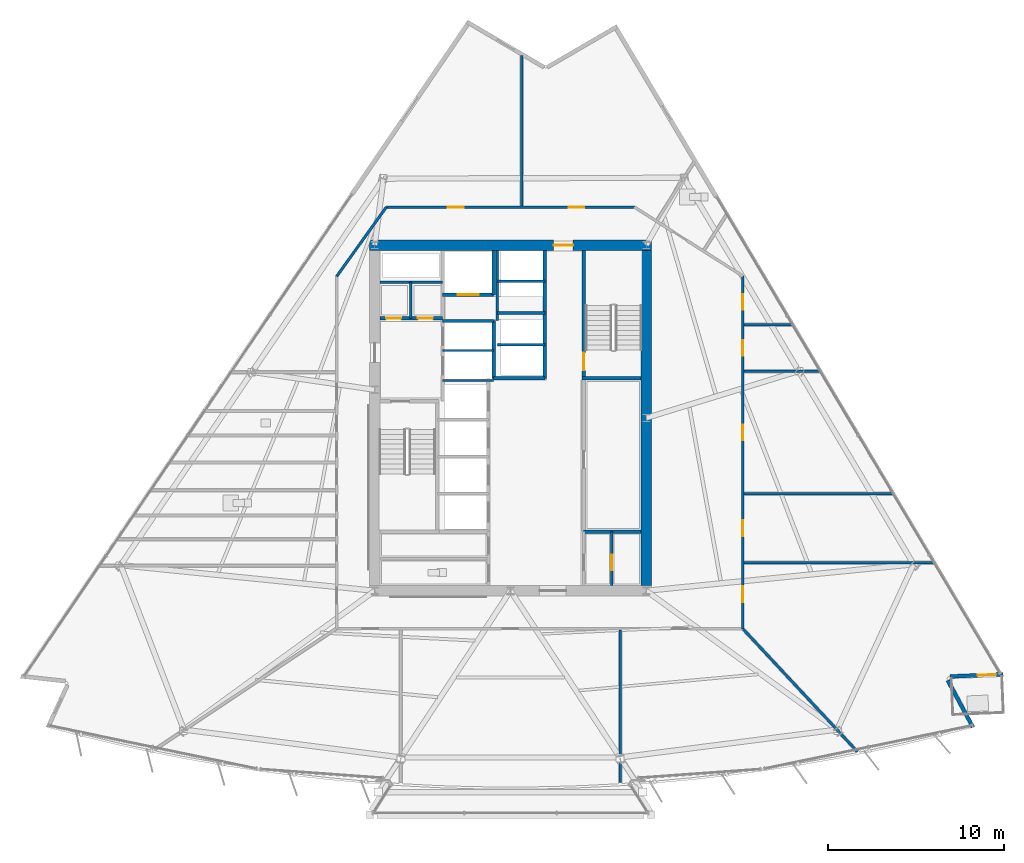
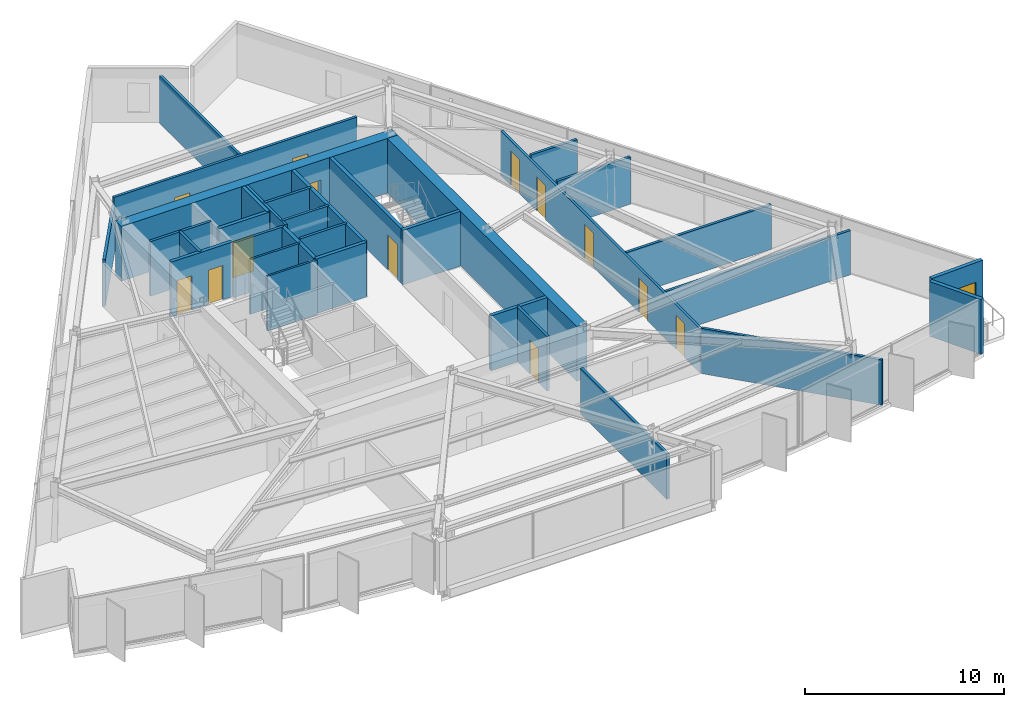
# One storey, part 9 of 15: 33 walls, 14 doors, 14 openings.
"""IFC4 building model written with IfcOpenShell, lengths in metres."""

from ifc_helpers import new_model, si_unit, direction, frame, frame_2d, origin, place, context, subcontext, project, spatial, rectangle, extrude, material, layer, layer_set, type_object, element, fill, save


model = new_model("IFC4")

# Units and contexts
model_context = context("Model", 3, precision=1e-05, world=origin(), true_north=direction((0.0, 1.0)))
body_context = subcontext(model_context, "Body", "Model", "MODEL_VIEW")
ifc_project = project(units=[si_unit("LENGTHUNIT", "METRE"), si_unit("AREAUNIT", "SQUARE_METRE"), si_unit("VOLUMEUNIT", "CUBIC_METRE"), si_unit("PLANEANGLEUNIT", "RADIAN"), si_unit("MASSUNIT", "GRAM", prefix="KILO")], contexts=[model_context])

# Site, building, storey
site_placement = place(None, origin())
site = spatial("IfcSite", under=ifc_project, at=site_placement, CompositionType="ELEMENT")
building_placement = place(site_placement, origin())
building = spatial("IfcBuilding", under=site, at=building_placement, Name="Savorim Split Tower", CompositionType="ELEMENT")
storey_placement = place(building_placement, frame((0.0, 0.0, 114.89990234375)))
storey = spatial("IfcBuildingStorey", under=building, at=storey_placement, Name="L30", CompositionType="ELEMENT", Elevation=114.89990234375)

# Wall, opening, door
ifc_material_1 = material(Name="Concrete C60/75", Category="concrete")
ifc_layer_1 = layer(ifc_material_1, 0.60009765625)
ifc_layer_set_1 = layer_set([ifc_layer_1], Name="WAL-COR-SH600")
wall_type_1 = type_object("IfcWallType", Name="WAL-COR-SH600", PredefinedType="SHEAR", material=ifc_layer_set_1)
wall_1_placement = place(storey_placement, frame((8.0, 10.199951171875, 0.0), z_axis=(0.0, 0.0, 1.0), x_axis=(-1.0, 0.0, 0.0)))
wall_1 = element("IfcWall", 1, at=wall_1_placement, inside=storey, type_object=wall_type_1, Name="L30 Offset Core North Shear Wall", PredefinedType="SHEAR", context=body_context, shape_type="SweptSolid", body=[
    extrude(rectangle(XDim=16.0, YDim=0.60009765625, at=frame_2d((8.0, 0.0))), origin(), (0.0, 0.0, 1.0), 3.35009765625),
])
opening_1_placement = place(wall_1_placement, frame((4.449951171875, 0.0, 0.0)))
opening_1 = element("IfcOpeningElement", 2, at=opening_1_placement, cuts=wall_1, Name="Opening DI-03", PredefinedType="OPENING", context=body_context, shape_type="SweptSolid", body=[
    extrude(rectangle(XDim=1.10009765625, YDim=2.14990234375, at=frame_2d((0.550048828125, 1.074951171875))), frame((0.0, 0.31005859375, 0.0), z_axis=(0.0, -1.0, 0.0), x_axis=(1.0, 0.0, 0.0)), (0.0, 0.0, 1.0), 0.6201171875),
])
ifc_material_2 = material(Name="Timber Fire Door Leaf", Category="wood")
door_type_1 = type_object("IfcDoorType", Name="DOR-FIR-1100", OperationType="NOTDEFINED", PredefinedType="DOOR", material=ifc_material_2)
door_1_placement = place(opening_1_placement, origin())
door_1 = element("IfcDoor", 3, at=door_1_placement, inside=storey, type_object=door_type_1, Name="DOR-L30-COR-NLOB - L30 North Corridor Lobby Fire Door", OperationType="SINGLE_SWING_LEFT", OverallHeight=2.14990234375, OverallWidth=1.10009765625, PredefinedType="DOOR", context=body_context, shape_type="SweptSolid", body=[
    extrude(rectangle(XDim=1.10009765625, YDim=2.14990234375, at=frame_2d((0.550048828125, 1.074951171875))), frame((0.0, 0.02490234375, 0.0), z_axis=(0.0, -1.0, 0.0), x_axis=(1.0, 0.0, 0.0)), (0.0, 0.0, 1.0), 0.050048828125),
])
fill(opening_1, door_1)

# Walls
wall_2_placement = place(storey_placement, frame((7.699951171875, 9.89990234375, 0.0), z_axis=(0.0, 0.0, 1.0), x_axis=(0.0, -1.0, 0.0)))
element("IfcWall", 4, at=wall_2_placement, inside=storey, type_object=wall_type_1, Name="L30 Offset Core East Shear Wall", PredefinedType="SHEAR", context=body_context, shape_type="SweptSolid", body=[
    extrude(rectangle(XDim=19.0, YDim=0.60009765625, at=frame_2d((9.5, 0.0))), origin(), (0.0, 0.0, 1.0), 3.35009765625),
])
ifc_material_3 = material(Name="Precast concrete C40/50", Category="concrete")
ifc_layer_2 = layer(ifc_material_3, 0.219970703125)
ifc_layer_set_2 = layer_set([ifc_layer_2], Name="WAL-EXT-CRN220")
wall_type_2 = type_object("IfcWallType", Name="WAL-EXT-CRN220", PredefinedType="SOLIDWALL", material=ifc_layer_set_2)
wall_3_placement = place(storey_placement, frame((24.79833984375, -14.477294921875, 0.0), z_axis=(0.0, 0.0, 1.0), x_axis=(0.472820757697, -0.881158629925, 0.0)))
element("IfcWall", 5, at=wall_3_placement, inside=storey, type_object=wall_type_2, Name="L30 Notched Corner Facade Wall SE1", PredefinedType="SOLIDWALL", context=body_context, shape_type="SweptSolid", body=[
    extrude(rectangle(XDim=3.02880859375, YDim=0.219970703125, at=frame_2d((1.514404296875, 0.0))), origin(), (0.0, 0.0, 1.0), 3.35009765625),
])

# Wall, opening, door
wall_4_placement = place(storey_placement, frame((27.943359375, -14.135009765625, 0.0), z_axis=(0.0, 0.0, 1.0), x_axis=(-0.999095621918, -0.042519857284, 0.0)))
wall_4 = element("IfcWall", 6, at=wall_4_placement, inside=storey, type_object=wall_type_2, Name="L30 Notched Corner Facade Wall SE", PredefinedType="SOLIDWALL", context=body_context, shape_type="SweptSolid", body=[
    extrude(rectangle(XDim=3.02587890625, YDim=0.219970703125, at=frame_2d((1.512939453125, 0.0))), origin(), (0.0, 0.0, 1.0), 3.35009765625),
])
opening_2_placement = place(wall_4_placement, frame((0.407958984375, 0.0, 0.0)))
opening_2 = element("IfcOpeningElement", 7, at=opening_2_placement, cuts=wall_4, Name="Opening DB-01", PredefinedType="OPENING", context=body_context, shape_type="SweptSolid", body=[
    extrude(rectangle(XDim=1.050048828125, YDim=2.14990234375, at=frame_2d((0.52490234375, 1.074951171875))), frame((0.0, 0.119873046875, 0.0), z_axis=(0.0, -1.0, 0.0), x_axis=(1.0, 0.0, 0.0)), (0.0, 0.0, 1.0), 0.239990234375),
])
ifc_material_4 = material(Name="Charcoal Anodised Aluminium", Category="aluminium")
door_type_2 = type_object("IfcDoorType", Name="DOR-BAL-1050", OperationType="NOTDEFINED", PredefinedType="DOOR", material=ifc_material_4)
door_2_placement = place(opening_2_placement, origin())
door_2 = element("IfcDoor", 8, at=door_2_placement, inside=storey, type_object=door_type_2, Name="DOR-L30-TBAL-SE - L30 Planted Tree Balcony Door SE", OperationType="SINGLE_SWING_LEFT", OverallHeight=2.14990234375, OverallWidth=1.050048828125, PredefinedType="DOOR", context=body_context, shape_type="SweptSolid", body=[
    extrude(rectangle(XDim=1.050048828125, YDim=2.14990234375, at=frame_2d((0.52490234375, 1.074951171875))), frame((0.0, 0.02490234375, 0.0), z_axis=(0.0, -1.0, 0.0), x_axis=(1.0, 0.0, 0.0)), (0.0, 0.0, 1.0), 0.050048828125),
])
fill(opening_2, door_2)

# Wall, openings, doors
ifc_material_5 = material(Name="Concrete C50/60", Category="concrete")
ifc_layer_3 = layer(ifc_material_5, 0.199951171875)
ifc_layer_set_3 = layer_set([ifc_layer_3], Name="WAL-INT-RC200")
wall_type_3 = type_object("IfcWallType", Name="WAL-INT-RC200", PredefinedType="SOLIDWALL", material=ifc_layer_set_3)
wall_5_placement = place(storey_placement, frame((-7.39501953125, 6.050048828125, 0.0), z_axis=(0.0, 0.0, 1.0), x_axis=(1.0, 0.0, 0.0)))
wall_5 = element("IfcWall", 9, at=wall_5_placement, inside=storey, type_object=wall_type_3, Name="L30 Partition W-L30-CR04", PredefinedType="SOLIDWALL", context=body_context, shape_type="SweptSolid", body=[
    extrude(rectangle(XDim=3.544921875, YDim=0.199951171875, at=frame_2d((1.7724609375, 0.0))), origin(), (0.0, 0.0, 1.0), 3.35009765625),
])
opening_3_placement = place(wall_5_placement, frame((0.344970703125, 0.0, 0.0)))
opening_3 = element("IfcOpeningElement", 10, at=opening_3_placement, cuts=wall_5, Name="Opening DI-12", PredefinedType="OPENING", context=body_context, shape_type="SweptSolid", body=[
    extrude(rectangle(XDim=0.85009765625, YDim=2.10009765625, at=frame_2d((0.425048828125, 1.050048828125))), frame((0.0, 0.10986328125, 0.0), z_axis=(0.0, -1.0, 0.0), x_axis=(1.0, 0.0, 0.0)), (0.0, 0.0, 1.0), 0.219970703125),
])
opening_4_placement = place(wall_5_placement, frame((2.14501953125, 0.0, 0.0)))
opening_4 = element("IfcOpeningElement", 11, at=opening_4_placement, cuts=wall_5, Name="Opening DI-12", PredefinedType="OPENING", context=body_context, shape_type="SweptSolid", body=[
    extrude(rectangle(XDim=0.85009765625, YDim=2.10009765625, at=frame_2d((0.425048828125, 1.050048828125))), frame((0.0, 0.10986328125, 0.0), z_axis=(0.0, -1.0, 0.0), x_axis=(1.0, 0.0, 0.0)), (0.0, 0.0, 1.0), 0.219970703125),
])
ifc_material_6 = material(Name="Galvanised Painted Steel Balustrade", Category="steel")
door_type_3 = type_object("IfcDoorType", Name="DOR-RIS-850", OperationType="NOTDEFINED", PredefinedType="DOOR", material=ifc_material_6)
door_3_placement = place(opening_3_placement, origin())
door_3 = element("IfcDoor", 12, at=door_3_placement, inside=storey, type_object=door_type_3, Name="DR-L30-ELR - L30 Electrical Riser Access Door", OperationType="SINGLE_SWING_RIGHT", OverallHeight=2.10009765625, OverallWidth=0.85009765625, PredefinedType="DOOR", context=body_context, shape_type="SweptSolid", body=[
    extrude(rectangle(XDim=0.85009765625, YDim=2.10009765625, at=frame_2d((0.425048828125, 1.050048828125))), frame((0.0, 0.02490234375, 0.0), z_axis=(0.0, -1.0, 0.0), x_axis=(1.0, 0.0, 0.0)), (0.0, 0.0, 1.0), 0.050048828125),
])
fill(opening_3, door_3)
door_4_placement = place(opening_4_placement, origin())
door_4 = element("IfcDoor", 13, at=door_4_placement, inside=storey, type_object=door_type_3, Name="DR-L30-TLR - L30 Telecom Riser Access Door", OperationType="SINGLE_SWING_LEFT", OverallHeight=2.10009765625, OverallWidth=0.85009765625, PredefinedType="DOOR", context=body_context, shape_type="SweptSolid", body=[
    extrude(rectangle(XDim=0.85009765625, YDim=2.10009765625, at=frame_2d((0.425048828125, 1.050048828125))), frame((0.0, 0.02490234375, 0.0), z_axis=(0.0, -1.0, 0.0), x_axis=(1.0, 0.0, 0.0)), (0.0, 0.0, 1.0), 0.050048828125),
])
fill(opening_4, door_4)

# Wall, opening, door
wall_6_placement = place(storey_placement, frame((4.14990234375, 2.75, 0.0), z_axis=(0.0, 0.0, 1.0), x_axis=(0.0, 1.0, 0.0)))
wall_6 = element("IfcWall", 14, at=wall_6_placement, inside=storey, type_object=wall_type_3, Name="L30 Structural Shaft Wall W-L30-CR07", PredefinedType="SOLIDWALL", context=body_context, shape_type="SweptSolid", body=[
    extrude(rectangle(XDim=7.14990234375, YDim=0.199951171875, at=frame_2d((3.574951171875, 0.0))), origin(), (0.0, 0.0, 1.0), 3.35009765625),
])
opening_5_placement = place(wall_6_placement, frame((0.35009765625, 0.0, 0.0)))
opening_5 = element("IfcOpeningElement", 15, at=opening_5_placement, cuts=wall_6, Name="Opening DI-04", PredefinedType="OPENING", context=body_context, shape_type="SweptSolid", body=[
    extrude(rectangle(XDim=1.0, YDim=2.14990234375, at=frame_2d((0.5, 1.074951171875))), frame((0.0, 0.10986328125, 0.0), z_axis=(0.0, -1.0, 0.0), x_axis=(1.0, 0.0, 0.0)), (0.0, 0.0, 1.0), 0.219970703125),
])
door_type_4 = type_object("IfcDoorType", Name="DOR-FIR-1000", OperationType="NOTDEFINED", PredefinedType="DOOR", material=ifc_material_2)
door_5_placement = place(opening_5_placement, origin())
door_5 = element("IfcDoor", 16, at=door_5_placement, inside=storey, type_object=door_type_4, Name="DR-L30-ST2 - L30 Stair ST-2 Enclosure Door", OperationType="SINGLE_SWING_RIGHT", OverallHeight=2.14990234375, OverallWidth=1.0, PredefinedType="DOOR", context=body_context, shape_type="SweptSolid", body=[
    extrude(rectangle(XDim=1.0, YDim=2.14990234375, at=frame_2d((0.5, 1.074951171875))), frame((0.0, 0.02490234375, 0.0), z_axis=(0.0, -1.0, 0.0), x_axis=(1.0, 0.0, 0.0)), (0.0, 0.0, 1.0), 0.050048828125),
])
fill(opening_5, door_5)

# Walls
wall_7_placement = place(storey_placement, frame((4.050048828125, 2.64990234375, 0.0), z_axis=(0.0, 0.0, 1.0), x_axis=(1.0, 0.0, 0.0)))
element("IfcWall", 17, at=wall_7_placement, inside=storey, type_object=wall_type_3, Name="L30 Structural Shaft Wall W-L30-CR08", PredefinedType="SOLIDWALL", context=body_context, shape_type="SweptSolid", body=[
    extrude(rectangle(XDim=3.349853515625, YDim=0.199951171875, at=frame_2d((1.6748046875, 0.0))), origin(), (0.0, 0.0, 1.0), 3.35009765625),
])
wall_8_placement = place(storey_placement, frame((-0.949951171875, 2.64990234375, 0.0), z_axis=(0.0, 0.0, 1.0), x_axis=(0.0, 1.0, 0.0)))
element("IfcWall", 18, at=wall_8_placement, inside=storey, type_object=wall_type_3, Name="L30 Partition W-L30-FFLW", PredefinedType="SOLIDWALL", context=body_context, shape_type="SweptSolid", body=[
    extrude(rectangle(XDim=3.27001953125, YDim=0.199951171875, at=frame_2d((1.635009765625, 0.0))), origin(), (0.0, 0.0, 1.0), 3.35009765625),
])

# Wall, opening, door
wall_9_placement = place(storey_placement, frame((-3.85009765625, 7.3798828125, 0.0), z_axis=(0.0, 0.0, 1.0), x_axis=(1.0, 0.0, 0.0)))
wall_9 = element("IfcWall", 19, at=wall_9_placement, inside=storey, type_object=wall_type_3, Name="L30 Partition W-L30-SVLS", PredefinedType="SOLIDWALL", context=body_context, shape_type="SweptSolid", body=[
    extrude(rectangle(XDim=2.900146484375, YDim=0.199951171875, at=frame_2d((1.4501953125, 0.0))), origin(), (0.0, 0.0, 1.0), 3.35009765625),
])
opening_6_placement = place(wall_9_placement, frame((0.85009765625, 0.0, 0.0)))
opening_6 = element("IfcOpeningElement", 20, at=opening_6_placement, cuts=wall_9, Name="Opening LD-SV", PredefinedType="OPENING", context=body_context, shape_type="SweptSolid", body=[
    extrude(rectangle(XDim=1.199951171875, YDim=2.199951171875, at=frame_2d((0.60009765625, 1.10009765625))), frame((0.0, 0.10986328125, 0.0), z_axis=(0.0, -1.0, 0.0), x_axis=(1.0, 0.0, 0.0)), (0.0, 0.0, 1.0), 0.219970703125),
])
door_type_5 = type_object("IfcDoorType", Name="DOR-SLD-SV1200", OperationType="NOTDEFINED", PredefinedType="DOOR", material=ifc_material_4)
door_6_placement = place(opening_6_placement, origin())
door_6 = element("IfcDoor", 21, at=door_6_placement, inside=storey, type_object=door_type_5, Name="DR-L30-LD-SVL1 - L30 Service Lift SVL-1 Sliding Landing Door", OperationType="DOUBLE_DOOR_SLIDING", OverallHeight=2.199951171875, OverallWidth=1.199951171875, PredefinedType="DOOR", context=body_context, shape_type="SweptSolid", body=[
    extrude(rectangle(XDim=1.199951171875, YDim=2.199951171875, at=frame_2d((0.60009765625, 1.10009765625))), frame((0.0, 0.02490234375, 0.0), z_axis=(0.0, -1.0, 0.0), x_axis=(1.0, 0.0, 0.0)), (0.0, 0.0, 1.0), 0.050048828125),
])
fill(opening_6, door_6)

# Walls
wall_10_placement = place(storey_placement, frame((-0.949951171875, 7.3798828125, 0.0), z_axis=(0.0, 0.0, 1.0), x_axis=(0.0, 1.0, 0.0)))
element("IfcWall", 22, at=wall_10_placement, inside=storey, type_object=wall_type_3, Name="L30 Partition W-L30-SVLE", PredefinedType="SOLIDWALL", context=body_context, shape_type="SweptSolid", body=[
    extrude(rectangle(XDim=2.51513671875, YDim=0.199951171875, at=frame_2d((1.257568359375, 0.0))), origin(), (0.0, 0.0, 1.0), 3.35009765625),
])
wall_11_placement = place(storey_placement, frame((1.949951171875, 2.64990234375, 0.0), z_axis=(0.0, 0.0, 1.0), x_axis=(0.0, 1.0, 0.0)))
element("IfcWall", 23, at=wall_11_placement, inside=storey, type_object=wall_type_3, Name="L30 Partition W-L30-B3FRONT", PredefinedType="SOLIDWALL", context=body_context, shape_type="SweptSolid", body=[
    extrude(rectangle(XDim=7.2451171875, YDim=0.199951171875, at=frame_2d((3.62255859375, 0.0))), origin(), (0.0, 0.0, 1.0), 3.35009765625),
])
wall_12_placement = place(storey_placement, frame((-0.949951171875, 2.64990234375, 0.0), z_axis=(0.0, 0.0, 1.0), x_axis=(1.0, 0.0, 0.0)))
element("IfcWall", 24, at=wall_12_placement, inside=storey, type_object=wall_type_3, Name="L30 Partition W-L30-B3SOUTH", PredefinedType="SOLIDWALL", context=body_context, shape_type="SweptSolid", body=[
    extrude(rectangle(XDim=2.89990234375, YDim=0.199951171875, at=frame_2d((1.449951171875, 0.0))), origin(), (0.0, 0.0, 1.0), 3.35009765625),
])
wall_13_placement = place(storey_placement, frame((4.14990234375, -6.050048828125, 0.0), z_axis=(0.0, 0.0, 1.0), x_axis=(1.0, 0.0, 0.0)))
element("IfcWall", 25, at=wall_13_placement, inside=storey, type_object=wall_type_3, Name="L30 Partition W-L30-KSEP-E", PredefinedType="SOLIDWALL", context=body_context, shape_type="SweptSolid", body=[
    extrude(rectangle(XDim=3.2451171875, YDim=0.199951171875, at=frame_2d((1.62255859375, 0.0))), origin(), (0.0, 0.0, 1.0), 3.35009765625),
])
ifc_material_7 = material(Name="Acoustic Gypsum Partition Board")
ifc_layer_4 = layer(ifc_material_7, 0.1201171875)
ifc_layer_set_4 = layer_set([ifc_layer_4], Name="WAL-PAR-120")
wall_type_4 = type_object("IfcWallType", Name="WAL-PAR-120", PredefinedType="PARTITIONING", material=ifc_layer_set_4)
for number, where, z_axis, x_axis, name in (
    (26, (-3.85009765625, 2.52001953125, 0.0), (0.0, 0.0, 1.0), (1.0, 0.0, 0.0), "L30 Partition W-L30-FFLD0"),
    (27, (-3.85009765625, 4.219970703125, 0.0), (0.0, 0.0, 1.0), (1.0, 0.0, 0.0), "L30 Partition W-L30-FFLD1"),
):
    element("IfcWall", number, at=place(storey_placement, frame(where, z_axis=z_axis, x_axis=x_axis)), inside=storey, type_object=wall_type_4, Name=name, PredefinedType="PARTITIONING", context=body_context, shape_type="SweptSolid", body=[
        extrude(rectangle(XDim=2.900146484375, YDim=0.1201171875, at=frame_2d((1.4501953125, 0.0))), origin(), (0.0, 0.0, 1.0), 3.35009765625),
    ])
ifc_layer_5 = layer(ifc_material_7, 0.14990234375)
ifc_layer_set_5 = layer_set([ifc_layer_5], Name="WAL-PAR-150")
wall_type_5 = type_object("IfcWallType", Name="WAL-PAR-150", PredefinedType="PARTITIONING", material=ifc_layer_set_5)
wall_14_placement = place(storey_placement, frame((-7.39501953125, 8.10009765625, 0.0), z_axis=(0.0, 0.0, 1.0), x_axis=(1.0, 0.0, 0.0)))
element("IfcWall", 28, at=wall_14_placement, inside=storey, type_object=wall_type_5, Name="L30 Partition W-L30-CR05", PredefinedType="PARTITIONING", context=body_context, shape_type="SweptSolid", body=[
    extrude(rectangle(XDim=3.544921875, YDim=0.14990234375, at=frame_2d((1.7724609375, 0.0))), origin(), (0.0, 0.0, 1.0), 3.35009765625),
])
wall_15_placement = place(storey_placement, frame((-5.64990234375, 6.050048828125, 0.0), z_axis=(0.0, 0.0, 1.0), x_axis=(0.0, 1.0, 0.0)))
element("IfcWall", 29, at=wall_15_placement, inside=storey, type_object=wall_type_5, Name="L30 Partition W-L30-CR06", PredefinedType="PARTITIONING", context=body_context, shape_type="SweptSolid", body=[
    extrude(rectangle(XDim=2.050048828125, YDim=0.14990234375, at=frame_2d((1.02490234375, 0.0))), origin(), (0.0, 0.0, 1.0), 3.35009765625),
])
wall_16_placement = place(storey_placement, frame((-3.85009765625, 5.89990234375, 0.0), z_axis=(0.0, 0.0, 1.0), x_axis=(1.0, 0.0, 0.0)))
element("IfcWall", 30, at=wall_16_placement, inside=storey, type_object=wall_type_5, Name="L30 Partition W-L30-FFLD2", PredefinedType="PARTITIONING", context=body_context, shape_type="SweptSolid", body=[
    extrude(rectangle(XDim=2.900146484375, YDim=0.14990234375, at=frame_2d((1.4501953125, 0.0))), origin(), (0.0, 0.0, 1.0), 3.35009765625),
])
wall_17_placement = place(storey_placement, frame((-0.75, 5.919921875, 0.0), z_axis=(0.0, 0.0, 1.0), x_axis=(0.0, 1.0, 0.0)))
element("IfcWall", 31, at=wall_17_placement, inside=storey, type_object=wall_type_5, Name="L30 Partition W-L30-B3WEST", PredefinedType="PARTITIONING", context=body_context, shape_type="SweptSolid", body=[
    extrude(rectangle(XDim=3.97509765625, YDim=0.14990234375, at=frame_2d((1.987548828125, 0.0))), origin(), (0.0, 0.0, 1.0), 3.35009765625),
])
for number, where, z_axis, x_axis, name in (
    (32, (-0.75, 4.550048828125, 0.0), (0.0, 0.0, 1.0), (1.0, 0.0, 0.0), "L30 Partition W-L30-B3DIV1"),
    (33, (-0.75, 6.35009765625, 0.0), (0.0, 0.0, 1.0), (1.0, 0.0, 0.0), "L30 Partition W-L30-B3DIV2"),
    (34, (-0.75, 8.14990234375, 0.0), (0.0, 0.0, 1.0), (1.0, 0.0, 0.0), "L30 Partition W-L30-B3DIV3"),
):
    element("IfcWall", number, at=place(storey_placement, frame(where, z_axis=z_axis, x_axis=x_axis)), inside=storey, type_object=wall_type_5, Name=name, PredefinedType="PARTITIONING", context=body_context, shape_type="SweptSolid", body=[
        extrude(rectangle(XDim=2.699951171875, YDim=0.14990234375, at=frame_2d((1.35009765625, 0.0))), origin(), (0.0, 0.0, 1.0), 3.35009765625),
    ])

# Wall, opening, door
wall_18_placement = place(storey_placement, frame((5.75, -9.094970703125, 0.0), z_axis=(0.0, 0.0, 1.0), x_axis=(0.0, 1.0, 0.0)))
wall_18 = element("IfcWall", 35, at=wall_18_placement, inside=storey, type_object=wall_type_5, Name="L30 Partition W-L30-K2E", PredefinedType="PARTITIONING", context=body_context, shape_type="SweptSolid", body=[
    extrude(rectangle(XDim=3.044921875, YDim=0.14990234375, at=frame_2d((1.5224609375, 0.0))), origin(), (0.0, 0.0, 1.0), 3.35009765625),
])
opening_7_placement = place(wall_18_placement, frame((0.844970703125, 0.0, 0.0)))
opening_7 = element("IfcOpeningElement", 36, at=opening_7_placement, cuts=wall_18, Name="Opening DI-06", PredefinedType="OPENING", context=body_context, shape_type="SweptSolid", body=[
    extrude(rectangle(XDim=0.89990234375, YDim=2.10009765625, at=frame_2d((0.449951171875, 1.050048828125))), frame((0.0, 0.0849609375, 0.0), z_axis=(0.0, -1.0, 0.0), x_axis=(1.0, 0.0, 0.0)), (0.0, 0.0, 1.0), 0.169921875),
])
door_type_6 = type_object("IfcDoorType", Name="DOR-FIR-900", OperationType="NOTDEFINED", PredefinedType="DOOR", material=ifc_material_2)
door_7_placement = place(opening_7_placement, origin())
door_7 = element("IfcDoor", 37, at=door_7_placement, inside=storey, type_object=door_type_6, Name="DR-L30-K2REF - L30 Recycling Room Door", OperationType="SINGLE_SWING_RIGHT", OverallHeight=2.10009765625, OverallWidth=0.89990234375, PredefinedType="DOOR", context=body_context, shape_type="SweptSolid", body=[
    extrude(rectangle(XDim=0.89990234375, YDim=2.10009765625, at=frame_2d((0.449951171875, 1.050048828125))), frame((0.0, 0.02490234375, 0.0), z_axis=(0.0, -1.0, 0.0), x_axis=(1.0, 0.0, 0.0)), (0.0, 0.0, 1.0), 0.050048828125),
])
fill(opening_7, door_7)

# Wall
wall_19_placement = place(storey_placement, frame((-9.860107421875, 8.42578125, 0.0), z_axis=(0.0, 0.0, 1.0), x_axis=(0.582449511476, 0.812866881218, 0.0)))
element("IfcWall", 38, at=wall_19_placement, inside=storey, type_object=wall_type_5, Name="L30 Partition W-L30-COR-02", PredefinedType="PARTITIONING", context=body_context, shape_type="SweptSolid", body=[
    extrude(rectangle(XDim=4.840087890625, YDim=0.14990234375, at=frame_2d((2.419921875, 0.0))), origin(), (0.0, 0.0, 1.0), 2.875),
])

# Wall, openings, doors
wall_20_placement = place(storey_placement, frame((-7.041015625, 12.360107421875, 0.0), z_axis=(0.0, 0.0, 1.0), x_axis=(1.0, 0.0, 0.0)))
wall_20 = element("IfcWall", 39, at=wall_20_placement, inside=storey, type_object=wall_type_5, Name="L30 Partition W-L30-COR-03", PredefinedType="PARTITIONING", context=body_context, shape_type="SweptSolid", body=[
    extrude(rectangle(XDim=14.064208984375, YDim=0.14990234375, at=frame_2d((7.0322265625, 0.0))), origin(), (0.0, 0.0, 1.0), 3.35009765625),
])
opening_8_placement = place(wall_20_placement, frame((10.336181640625, 0.0, 0.0)))
opening_8 = element("IfcOpeningElement", 40, at=opening_8_placement, cuts=wall_20, Name="Opening DI-06", PredefinedType="OPENING", context=body_context, shape_type="SweptSolid", body=[
    extrude(rectangle(XDim=0.89990234375, YDim=2.10009765625, at=frame_2d((0.449951171875, 1.050048828125))), frame((0.0, 0.0849609375, 0.0), z_axis=(0.0, -1.0, 0.0), x_axis=(1.0, 0.0, 0.0)), (0.0, 0.0, 1.0), 0.169921875),
])
opening_9_placement = place(wall_20_placement, frame((3.482421875, 0.0, 0.0)))
opening_9 = element("IfcOpeningElement", 41, at=opening_9_placement, cuts=wall_20, Name="Opening DI-06", PredefinedType="OPENING", context=body_context, shape_type="SweptSolid", body=[
    extrude(rectangle(XDim=0.89990234375, YDim=2.10009765625, at=frame_2d((0.449951171875, 1.050048828125))), frame((0.0, 0.0849609375, 0.0), z_axis=(0.0, -1.0, 0.0), x_axis=(1.0, 0.0, 0.0)), (0.0, 0.0, 1.0), 0.169921875),
])
door_8_placement = place(opening_8_placement, origin())
door_8 = element("IfcDoor", 42, at=door_8_placement, inside=storey, type_object=door_type_6, Name="DR-L30-RM17 - L30 Maker Workshop Entry Door", OperationType="SINGLE_SWING_RIGHT", OverallHeight=2.10009765625, OverallWidth=0.89990234375, PredefinedType="DOOR", context=body_context, shape_type="SweptSolid", body=[
    extrude(rectangle(XDim=0.89990234375, YDim=2.10009765625, at=frame_2d((0.449951171875, 1.050048828125))), frame((0.0, 0.02490234375, 0.0), z_axis=(0.0, -1.0, 0.0), x_axis=(1.0, 0.0, 0.0)), (0.0, 0.0, 1.0), 0.050048828125),
])
fill(opening_8, door_8)
door_9_placement = place(opening_9_placement, origin())
door_9 = element("IfcDoor", 43, at=door_9_placement, inside=storey, type_object=door_type_6, Name="DR-L30-RM18 - L30 Maker Workshop Entry Door", OperationType="SINGLE_SWING_LEFT", OverallHeight=2.10009765625, OverallWidth=0.89990234375, PredefinedType="DOOR", context=body_context, shape_type="SweptSolid", body=[
    extrude(rectangle(XDim=0.89990234375, YDim=2.10009765625, at=frame_2d((0.449951171875, 1.050048828125))), frame((0.0, 0.02490234375, 0.0), z_axis=(0.0, -1.0, 0.0), x_axis=(1.0, 0.0, 0.0)), (0.0, 0.0, 1.0), 0.050048828125),
])
fill(opening_9, door_9)

wall_21_placement = place(storey_placement, frame((13.179931640625, 8.44384765625, 0.0), z_axis=(0.0, 0.0, 1.0), x_axis=(0.0, -1.0, 0.0)))
wall_21 = element("IfcWall", 44, at=wall_21_placement, inside=storey, type_object=wall_type_5, Name="L30 Partition W-L30-COR-05", PredefinedType="PARTITIONING", context=body_context, shape_type="SweptSolid", body=[
    extrude(rectangle(XDim=20.00390625, YDim=0.14990234375, at=frame_2d((10.001953125, 0.0))), origin(), (0.0, 0.0, 1.0), 2.705078125),
])
opening_10_placement = place(wall_21_placement, frame((17.591064453125, 0.0, 0.0)))
opening_10 = element("IfcOpeningElement", 45, at=opening_10_placement, cuts=wall_21, Name="Opening DI-06", PredefinedType="OPENING", context=body_context, shape_type="SweptSolid", body=[
    extrude(rectangle(XDim=0.89990234375, YDim=2.10009765625, at=frame_2d((0.449951171875, 1.050048828125))), frame((0.0, 0.0849609375, 0.0), z_axis=(0.0, -1.0, 0.0), x_axis=(1.0, 0.0, 0.0)), (0.0, 0.0, 1.0), 0.169921875),
])
opening_11_placement = place(wall_21_placement, frame((13.85009765625, 0.0, 0.0)))
opening_11 = element("IfcOpeningElement", 46, at=opening_11_placement, cuts=wall_21, Name="Opening DI-06", PredefinedType="OPENING", context=body_context, shape_type="SweptSolid", body=[
    extrude(rectangle(XDim=0.89990234375, YDim=2.10009765625, at=frame_2d((0.449951171875, 1.050048828125))), frame((0.0, 0.0849609375, 0.0), z_axis=(0.0, -1.0, 0.0), x_axis=(1.0, 0.0, 0.0)), (0.0, 0.0, 1.0), 0.169921875),
])
opening_12_placement = place(wall_21_placement, frame((8.421630859375, 0.0, 0.0)))
opening_12 = element("IfcOpeningElement", 47, at=opening_12_placement, cuts=wall_21, Name="Opening DI-06", PredefinedType="OPENING", context=body_context, shape_type="SweptSolid", body=[
    extrude(rectangle(XDim=0.89990234375, YDim=2.10009765625, at=frame_2d((0.449951171875, 1.050048828125))), frame((0.0, 0.0849609375, 0.0), z_axis=(0.0, -1.0, 0.0), x_axis=(1.0, 0.0, 0.0)), (0.0, 0.0, 1.0), 0.169921875),
])
opening_13_placement = place(wall_21_placement, frame((3.62451171875, 0.0, 0.0)))
opening_13 = element("IfcOpeningElement", 48, at=opening_13_placement, cuts=wall_21, Name="Opening DI-06", PredefinedType="OPENING", context=body_context, shape_type="SweptSolid", body=[
    extrude(rectangle(XDim=0.89990234375, YDim=2.10009765625, at=frame_2d((0.449951171875, 1.050048828125))), frame((0.0, 0.0849609375, 0.0), z_axis=(0.0, -1.0, 0.0), x_axis=(1.0, 0.0, 0.0)), (0.0, 0.0, 1.0), 0.169921875),
])
opening_14_placement = place(wall_21_placement, frame((1.013916015625, 0.0, 0.0)))
opening_14 = element("IfcOpeningElement", 49, at=opening_14_placement, cuts=wall_21, Name="Opening DI-06", PredefinedType="OPENING", context=body_context, shape_type="SweptSolid", body=[
    extrude(rectangle(XDim=0.89990234375, YDim=2.10009765625, at=frame_2d((0.449951171875, 1.050048828125))), frame((0.0, 0.0849609375, 0.0), z_axis=(0.0, -1.0, 0.0), x_axis=(1.0, 0.0, 0.0)), (0.0, 0.0, 1.0), 0.169921875),
])
door_10_placement = place(opening_10_placement, origin())
door_10 = element("IfcDoor", 50, at=door_10_placement, inside=storey, type_object=door_type_6, Name="DR-L30-RM11 - L30 Maker Workshop Entry Door", OperationType="SINGLE_SWING_RIGHT", OverallHeight=2.10009765625, OverallWidth=0.89990234375, PredefinedType="DOOR", context=body_context, shape_type="SweptSolid", body=[
    extrude(rectangle(XDim=0.89990234375, YDim=2.10009765625, at=frame_2d((0.449951171875, 1.050048828125))), frame((0.0, 0.02490234375, 0.0), z_axis=(0.0, -1.0, 0.0), x_axis=(1.0, 0.0, 0.0)), (0.0, 0.0, 1.0), 0.050048828125),
])
fill(opening_10, door_10)
door_11_placement = place(opening_11_placement, origin())
door_11 = element("IfcDoor", 51, at=door_11_placement, inside=storey, type_object=door_type_6, Name="DR-L30-RM12 - L30 Co-Living Bedroom Entry Door", OperationType="SINGLE_SWING_LEFT", OverallHeight=2.10009765625, OverallWidth=0.89990234375, PredefinedType="DOOR", context=body_context, shape_type="SweptSolid", body=[
    extrude(rectangle(XDim=0.89990234375, YDim=2.10009765625, at=frame_2d((0.449951171875, 1.050048828125))), frame((0.0, 0.02490234375, 0.0), z_axis=(0.0, -1.0, 0.0), x_axis=(1.0, 0.0, 0.0)), (0.0, 0.0, 1.0), 0.050048828125),
])
fill(opening_11, door_11)
door_12_placement = place(opening_12_placement, origin())
door_12 = element("IfcDoor", 52, at=door_12_placement, inside=storey, type_object=door_type_6, Name="DR-L30-RM13 - L30 Maker Workshop Entry Door", OperationType="SINGLE_SWING_RIGHT", OverallHeight=2.10009765625, OverallWidth=0.89990234375, PredefinedType="DOOR", context=body_context, shape_type="SweptSolid", body=[
    extrude(rectangle(XDim=0.89990234375, YDim=2.10009765625, at=frame_2d((0.449951171875, 1.050048828125))), frame((0.0, 0.02490234375, 0.0), z_axis=(0.0, -1.0, 0.0), x_axis=(1.0, 0.0, 0.0)), (0.0, 0.0, 1.0), 0.050048828125),
])
fill(opening_12, door_12)
door_13_placement = place(opening_13_placement, origin())
door_13 = element("IfcDoor", 53, at=door_13_placement, inside=storey, type_object=door_type_6, Name="DR-L30-RM14 - L30 Co-Working Commons Entry Door", OperationType="SINGLE_SWING_LEFT", OverallHeight=2.10009765625, OverallWidth=0.89990234375, PredefinedType="DOOR", context=body_context, shape_type="SweptSolid", body=[
    extrude(rectangle(XDim=0.89990234375, YDim=2.10009765625, at=frame_2d((0.449951171875, 1.050048828125))), frame((0.0, 0.02490234375, 0.0), z_axis=(0.0, -1.0, 0.0), x_axis=(1.0, 0.0, 0.0)), (0.0, 0.0, 1.0), 0.050048828125),
])
fill(opening_13, door_13)
door_14_placement = place(opening_14_placement, origin())
door_14 = element("IfcDoor", 54, at=door_14_placement, inside=storey, type_object=door_type_6, Name="DR-L30-RM15 - L30 Co-Living Bedroom Entry Door", OperationType="SINGLE_SWING_RIGHT", OverallHeight=2.10009765625, OverallWidth=0.89990234375, PredefinedType="DOOR", context=body_context, shape_type="SweptSolid", body=[
    extrude(rectangle(XDim=0.89990234375, YDim=2.10009765625, at=frame_2d((0.449951171875, 1.050048828125))), frame((0.0, 0.02490234375, 0.0), z_axis=(0.0, -1.0, 0.0), x_axis=(1.0, 0.0, 0.0)), (0.0, 0.0, 1.0), 0.050048828125),
])
fill(opening_14, door_14)

# Walls
wall_22_placement = place(storey_placement, frame((6.2216796875, -11.6201171875, 0.0), z_axis=(0.0, 0.0, 1.0), x_axis=(0.0, -1.0, 0.0)))
element("IfcWall", 55, at=wall_22_placement, inside=storey, type_object=wall_type_5, Name="L30 Partition W-L30-PRAD03", PredefinedType="PARTITIONING", context=body_context, shape_type="SweptSolid", body=[
    extrude(rectangle(XDim=8.666748046875, YDim=0.14990234375, at=frame_2d((4.33349609375, 0.0))), origin(), (0.0, 0.0, 1.0), 2.775146484375),
])
wall_23_placement = place(storey_placement, frame((13.19873046875, -11.578857421875, 0.0), z_axis=(0.0, 0.0, 1.0), x_axis=(0.68192513302, -0.731421980087, 0.0)))
element("IfcWall", 56, at=wall_23_placement, inside=storey, type_object=wall_type_5, Name="L30 Partition W-L30-PRAD04", PredefinedType="PARTITIONING", context=body_context, shape_type="SweptSolid", body=[
    extrude(rectangle(XDim=9.494873046875, YDim=0.14990234375, at=frame_2d((4.74755859375, 0.0))), origin(), (0.0, 0.0, 1.0), 2.775146484375),
])
wall_24_placement = place(storey_placement, frame((13.239990234375, 3.044189453125, 0.0), z_axis=(0.0, 0.0, 1.0), x_axis=(1.0, 0.0, 0.0)))
element("IfcWall", 57, at=wall_24_placement, inside=storey, type_object=wall_type_5, Name="L30 Partition W-L30-PRAD06", PredefinedType="PARTITIONING", context=body_context, shape_type="SweptSolid", body=[
    extrude(rectangle(XDim=4.26513671875, YDim=0.14990234375, at=frame_2d((2.132568359375, 0.0))), origin(), (0.0, 0.0, 1.0), 2.885009765625),
])
wall_25_placement = place(storey_placement, frame((13.239990234375, -3.899658203125, 0.0), z_axis=(0.0, 0.0, 1.0), x_axis=(1.0, 0.0, 0.0)))
element("IfcWall", 58, at=wall_25_placement, inside=storey, type_object=wall_type_5, Name="L30 Partition W-L30-SUB05", PredefinedType="PARTITIONING", context=body_context, shape_type="SweptSolid", body=[
    extrude(rectangle(XDim=8.394287109375, YDim=0.14990234375, at=frame_2d((4.197265625, 0.0))), origin(), (0.0, 0.0, 1.0), 2.72509765625),
])
wall_26_placement = place(storey_placement, frame((13.239990234375, 5.6943359375, 0.0), z_axis=(0.0, 0.0, 1.0), x_axis=(1.0, 0.0, 0.0)))
element("IfcWall", 59, at=wall_26_placement, inside=storey, type_object=wall_type_5, Name="L30 Partition W-L30-SUB06", PredefinedType="PARTITIONING", context=body_context, shape_type="SweptSolid", body=[
    extrude(rectangle(XDim=2.689453125, YDim=0.14990234375, at=frame_2d((1.3447265625, 0.0))), origin(), (0.0, 0.0, 1.0), 2.885009765625),
])
wall_27_placement = place(storey_placement, frame((0.6455078125, 12.419921875, 0.0), z_axis=(0.0, 0.0, 1.0), x_axis=(0.0, 1.0, 0.0)))
element("IfcWall", 60, at=wall_27_placement, inside=storey, type_object=wall_type_5, Name="L30 Partition W-L30-SUB07", PredefinedType="PARTITIONING", context=body_context, shape_type="SweptSolid", body=[
    extrude(rectangle(XDim=8.55029296875, YDim=0.14990234375, at=frame_2d((4.275146484375, 0.0))), origin(), (0.0, 0.0, 1.0), 2.885009765625),
])
wall_28_placement = place(storey_placement, frame((13.239990234375, -7.812744140625, 0.0), z_axis=(0.0, 0.0, 1.0), x_axis=(1.0, 0.0, 0.0)))
element("IfcWall", 61, at=wall_28_placement, inside=storey, type_object=wall_type_5, Name="L30 Partition W-L30-SUB11", PredefinedType="PARTITIONING", context=body_context, shape_type="SweptSolid", body=[
    extrude(rectangle(XDim=10.720947265625, YDim=0.14990234375, at=frame_2d((5.3603515625, 0.0))), origin(), (0.0, 0.0, 1.0), 2.705078125),
])

save(model, "model.ifc")
